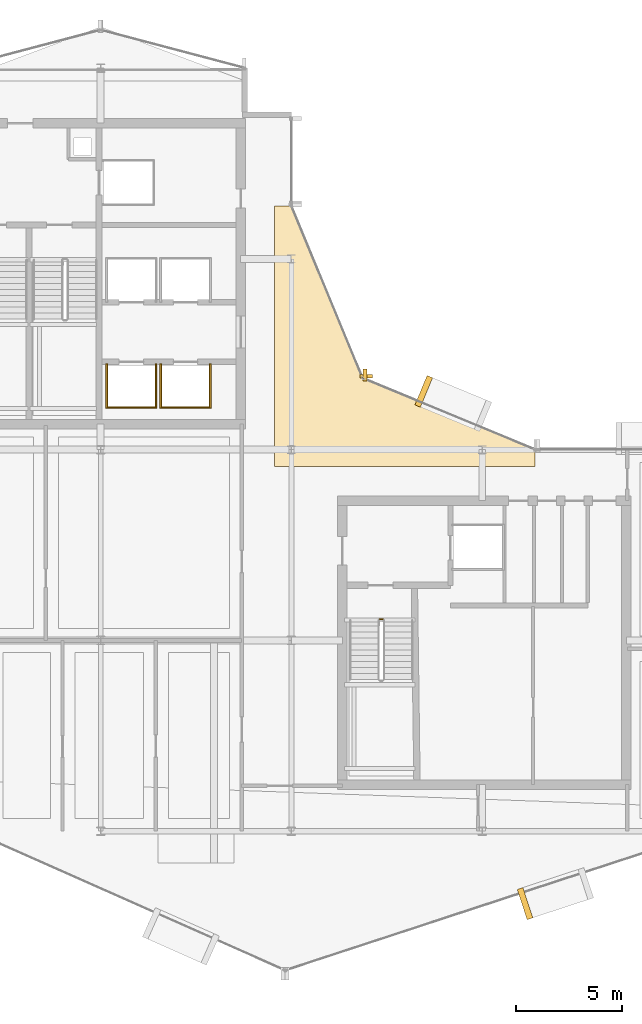
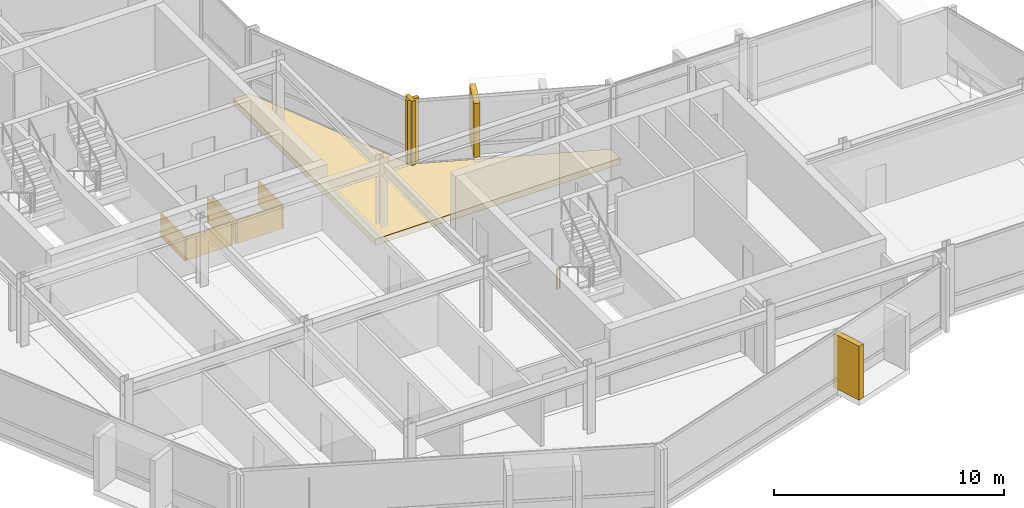
# One storey, part 25 of 27: 11 coverings, 1 railing.
"""IFC4 building model written with IfcOpenShell, lengths in metres."""

from ifc_helpers import new_model, si_unit, direction, frame, origin, origin_2d, place, context, subcontext, project, spatial, polyline, rectangle, circle, outline, extrude, material, layer, layer_set, type_object, element, save


model = new_model("IFC4")

# Units and contexts
model_context = context("Model", 3, precision=1e-05, world=origin(), true_north=direction((0.0, 1.0)))
body_context = subcontext(model_context, "Body", "Model", "MODEL_VIEW")
ifc_project = project(units=[si_unit("LENGTHUNIT", "METRE"), si_unit("AREAUNIT", "SQUARE_METRE"), si_unit("VOLUMEUNIT", "CUBIC_METRE"), si_unit("PLANEANGLEUNIT", "RADIAN"), si_unit("MASSUNIT", "GRAM", prefix="KILO")], contexts=[model_context])

# Site, building, storey
site_placement = place(None, origin())
site = spatial("IfcSite", under=ifc_project, at=site_placement, CompositionType="ELEMENT")
building_placement = place(site_placement, origin())
building = spatial("IfcBuilding", under=site, at=building_placement, Name="Solvaryn Broadcast Tower", CompositionType="ELEMENT")
storey_placement = place(building_placement, frame((0.0, 0.0, 228.39990234375)))
storey = spatial("IfcBuildingStorey", under=building, at=storey_placement, Name="L57", CompositionType="ELEMENT", Elevation=228.39990234375)

# Coverings
ifc_material_1 = material(Name="Fire-Rated Gypsum Shaftwall Liner", Category="concrete")
ifc_layer_1 = layer(ifc_material_1, 0.080078125)
ifc_layer_set_1 = layer_set([ifc_layer_1], Name="CV-SHAFT-LINER")
covering_type_1 = type_object("IfcCoveringType", Name="CV-SHAFT-LINER", PredefinedType="CLADDING", material=ifc_layer_set_1)
covering_1_placement = place(storey_placement, frame((19.449951171875, 28.985107421875, 0.0), z_axis=(0.0, 0.0, 1.0), x_axis=(1.0, 0.0, 0.0)))
element("IfcCovering", 1, at=covering_1_placement, inside=storey, type_object=covering_type_1, Name="L57 PH1 Hoistway Shaft Liner South", PredefinedType="CLADDING", context=body_context, shape_type="SweptSolid", body=[
    extrude(rectangle(XDim=2.409912109375, YDim=0.080078125, at=origin_2d()), origin(), (0.0, 0.0, 1.0), 1.25),
])
for number, where, z_axis, x_axis, name in (
    (2, (20.614990234375, 30.0, 0.0), (0.0, 0.0, 1.0), (1.0, 0.0, 0.0), "L57 PH1 Hoistway Shaft Liner East"),
    (3, (18.284912109375, 30.0, 0.0), (0.0, 0.0, 1.0), (1.0, 0.0, 0.0), "L57 PH1 Hoistway Shaft Liner West"),
):
    element("IfcCovering", number, at=place(storey_placement, frame(where, z_axis=z_axis, x_axis=x_axis)), inside=storey, type_object=covering_type_1, Name=name, PredefinedType="CLADDING", context=body_context, shape_type="SweptSolid", body=[
        extrude(rectangle(XDim=0.080078125, YDim=2.110107421875, at=origin_2d()), origin(), (0.0, 0.0, 1.0), 1.25),
    ])
covering_2_placement = place(storey_placement, frame((22.0, 28.985107421875, 0.0), z_axis=(0.0, 0.0, 1.0), x_axis=(1.0, 0.0, 0.0)))
element("IfcCovering", 4, at=covering_2_placement, inside=storey, type_object=covering_type_1, Name="L57 PH2 Hoistway Shaft Liner South", PredefinedType="CLADDING", context=body_context, shape_type="SweptSolid", body=[
    extrude(rectangle(XDim=2.409912109375, YDim=0.080078125, at=origin_2d()), origin(), (0.0, 0.0, 1.0), 1.25),
])
for number, where, z_axis, x_axis, name in (
    (5, (23.1650390625, 30.0, 0.0), (0.0, 0.0, 1.0), (1.0, 0.0, 0.0), "L57 PH2 Hoistway Shaft Liner East"),
    (6, (20.8349609375, 30.0, 0.0), (0.0, 0.0, 1.0), (1.0, 0.0, 0.0), "L57 PH2 Hoistway Shaft Liner West"),
):
    element("IfcCovering", number, at=place(storey_placement, frame(where, z_axis=z_axis, x_axis=x_axis)), inside=storey, type_object=covering_type_1, Name=name, PredefinedType="CLADDING", context=body_context, shape_type="SweptSolid", body=[
        extrude(rectangle(XDim=0.080078125, YDim=2.110107421875, at=origin_2d()), origin(), (0.0, 0.0, 1.0), 1.25),
    ])
ifc_material_2 = material(Name="Glazed Architectural Terracotta Rainscreen Cladding", Category="masonry")
ifc_layer_2 = layer(ifc_material_2, 0.280029296875)
ifc_layer_set_2 = layer_set([ifc_layer_2], Name="CV-TC-CLAD")
covering_type_2 = type_object("IfcCoveringType", Name="CV-TC-CLAD", PredefinedType="CLADDING", material=ifc_layer_set_2)
for number, where, z_axis, x_axis, name in (
    (7, (38.01904296875, 5.584716796875, 0.2802734375), (0.0, 0.0, 1.0), (0.950244253402, 0.311505792684, 0.0), "L57 Projecting Stone Window Box Cheek 4-1"),
    (8, (33.241943359375, 29.751953125, 0.2802734375), (0.0, 0.0, 1.0), (-0.923879532511, 0.382683432365, 0.0), "L57 Projecting Stone Window Box Cheek 5-2"),
):
    element("IfcCovering", number, at=place(storey_placement, frame(where, z_axis=z_axis, x_axis=x_axis)), inside=storey, type_object=covering_type_2, Name=name, PredefinedType="CLADDING", context=body_context, shape_type="SweptSolid", body=[
        extrude(rectangle(XDim=0.280029296875, YDim=1.5, at=origin_2d()), origin(), (0.0, 0.0, 1.0), 2.860107421875),
    ])
ifc_material_3 = material(Name="Extruded Architectural Terracotta Fin", Category="masonry")
ifc_layer_3 = layer(ifc_material_3, 0.179931640625)
ifc_layer_set_3 = layer_set([ifc_layer_3], Name="CV-TC-FIN")
covering_type_3 = type_object("IfcCoveringType", Name="CV-TC-FIN", PredefinedType="USERDEFINED", material=ifc_layer_set_3)
covering_3_placement = place(storey_placement, frame((30.464599609375, 30.52294921875, 0.000244140625), z_axis=(0.0, 0.0, 1.0), x_axis=(1.0, 0.0, 0.0)))
element("IfcCovering", 9, at=covering_3_placement, inside=storey, type_object=covering_type_3, Name="L57 Terracotta Vertical Fin FIN-L57-CN1-M01", ObjectType="FIN", PredefinedType="USERDEFINED", context=body_context, shape_type="SweptSolid", body=[
    extrude(rectangle(XDim=0.179931640625, YDim=0.580078125, at=origin_2d()), origin(), (0.0, 0.0, 1.0), 3.419921875),
])
covering_4_placement = place(storey_placement, frame((30.52294921875, 30.464599609375, 0.000244140625), z_axis=(0.0, 0.0, 1.0), x_axis=(1.0, 0.0, 0.0)))
element("IfcCovering", 10, at=covering_4_placement, inside=storey, type_object=covering_type_3, Name="L57 Terracotta Vertical Fin FIN-L57-CN2-M00", ObjectType="FIN", PredefinedType="USERDEFINED", context=body_context, shape_type="SweptSolid", body=[
    extrude(rectangle(XDim=0.580078125, YDim=0.179931640625, at=origin_2d()), origin(), (0.0, 0.0, 1.0), 3.419921875),
])
ifc_material_4 = material(Name="Sculpted Architectural Terracotta Wave Fascia", Category="masonry")
ifc_layer_4 = layer(ifc_material_4, 0.340087890625)
ifc_layer_set_4 = layer_set([ifc_layer_4], Name="CV-WAVE-TRAY")
covering_type_4 = type_object("IfcCoveringType", Name="CV-WAVE-TRAY", PredefinedType="CLADDING", material=ifc_layer_set_4)
covering_5_placement = place(storey_placement, frame((0.0, 0.0, -0.2998046875)))
element("IfcCovering", 11, at=covering_5_placement, inside=storey, type_object=covering_type_4, Name="L57 Concave Canyon Floor Apron", PredefinedType="CLADDING", context=body_context, shape_type="SweptSolid", body=[
    extrude(outline(polyline([(26.199951171875, 26.199951171875), (38.5, 26.199951171875), (38.5, 27.0), (30.367919921875, 30.367919921875), (27.0, 38.5), (26.199951171875, 38.5), (26.199951171875, 26.199951171875)])), origin(), (0.0, 0.0, 1.0), 0.329833984375),
])

# Railing
ifc_material_5 = material(Name="Painted Steel Stair Well Guard", Category="steel")
railing_type = type_object("IfcRailingType", Name="RL-STAIR-GUARD", PredefinedType="BALUSTRADE", material=ifc_material_5)
railing_placement = place(storey_placement, frame((31.159912109375, 19.010009765625, 0.0)))
element("IfcRailing", 12, at=railing_placement, inside=storey, type_object=railing_type, Name="L57 ST3 stair guard 4", PredefinedType="BALUSTRADE", context=body_context, shape_type="SweptSolid", body=[
    extrude(circle(Radius=0.02392578125, at=origin_2d()), frame((0.0, 0.0, 1.076171875), z_axis=(1.0, 0.0, 0.0), x_axis=(0.0, 1.0, 0.0)), (0.0, 0.0, 1.0), 0.150146484375),
    extrude(circle(Radius=0.02099609375, at=origin_2d()), origin(), (0.0, 0.0, 1.0), 1.052001953125),
    extrude(circle(Radius=0.02099609375, at=origin_2d()), frame((0.150146484375, 0.0, 0.0)), (0.0, 0.0, 1.0), 1.052001953125),
])

save(model, "model.ifc")
